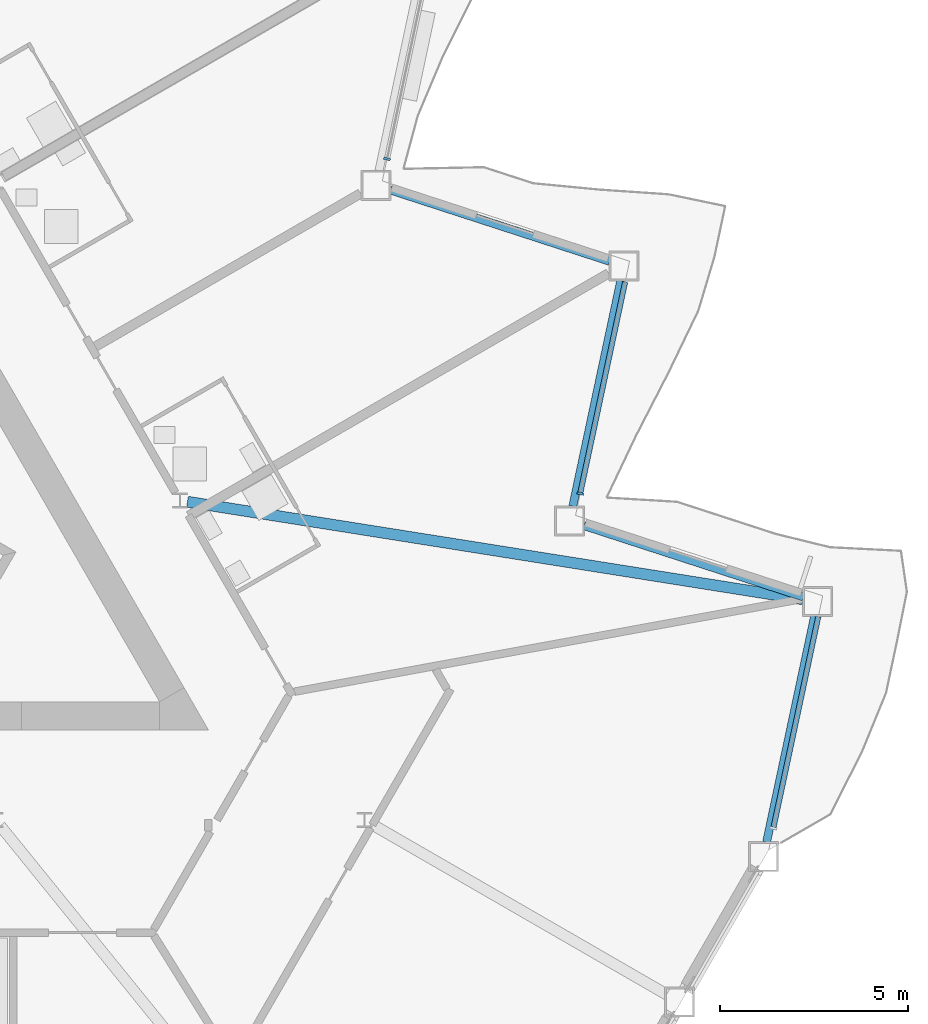
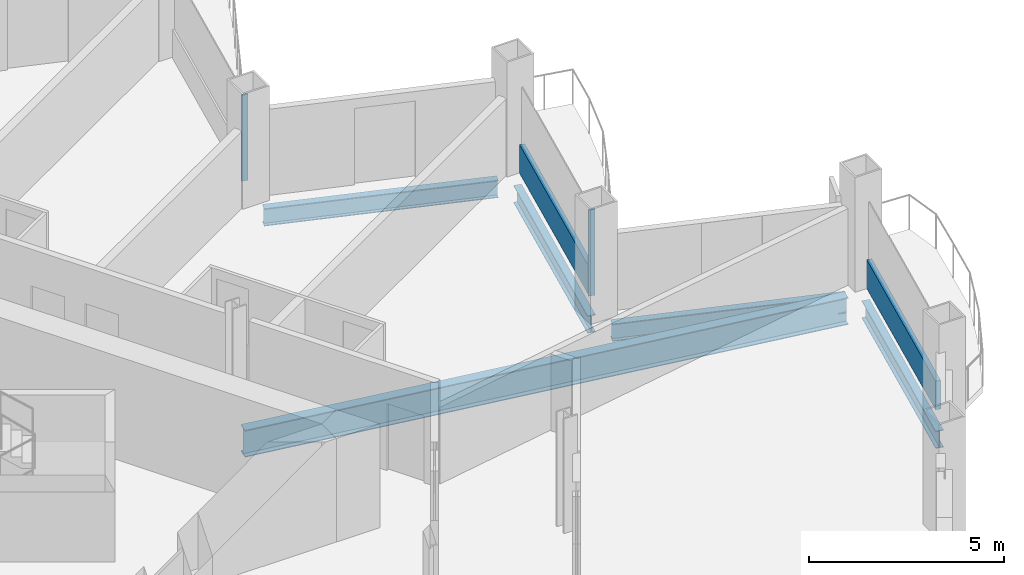
# One storey, part 7 of 24: 5 beams, 4 members, 3 elements without a shape of their own.
"""IFC4 building model written with IfcOpenShell, lengths in metres."""

from ifc_helpers import new_model, si_unit, direction, frame, origin, origin_2d, place, context, subcontext, project, spatial, rectangle, i_section, extrude, material, layer, layer_set, material_profile, profile_set, type_object, element, aggregate, save


model = new_model("IFC4")

# Units and contexts
model_context = context("Model", 3, precision=1e-05, world=origin(), true_north=direction((0.0, 1.0)))
body_context = subcontext(model_context, "Body", "Model", "MODEL_VIEW")
ifc_project = project(units=[si_unit("LENGTHUNIT", "METRE"), si_unit("AREAUNIT", "SQUARE_METRE"), si_unit("VOLUMEUNIT", "CUBIC_METRE"), si_unit("PLANEANGLEUNIT", "RADIAN"), si_unit("MASSUNIT", "GRAM", prefix="KILO")], contexts=[model_context])

# Site, building, storey
site_placement = place(None, origin())
site = spatial("IfcSite", under=ifc_project, at=site_placement, CompositionType="ELEMENT")
building_placement = place(site_placement, origin())
building = spatial("IfcBuilding", under=site, at=building_placement, Name="Cormorant Prow Tower", CompositionType="ELEMENT")
storey_placement = place(building_placement, frame((0.0, 0.0, 201.60009765625)))
storey = spatial("IfcBuildingStorey", under=building, at=storey_placement, Name="L44", CompositionType="ELEMENT", Elevation=201.60009765625)

# Curtain wall, member
ifc_material_1 = material(Name="Aluminium 6063-T6", Category="aluminium")
ifc_layer = layer(ifc_material_1, 0.179931640625)
ifc_layer_set = layer_set([ifc_layer], Name="Aluminium 6063-T6")
curtain_wall_type = type_object("IfcCurtainWallType", Name="Hotel unitised curtain wall 180", PredefinedType="NOTDEFINED", material=ifc_layer_set)
curtain_wall_1_placement = place(storey_placement, origin())
curtain_wall_1 = element("IfcCurtainWall", 1, at=curtain_wall_1_placement, inside=storey, type_object=curtain_wall_type, Name="Hotel curtain wall ENE02", PredefinedType="NOTDEFINED")
ifc_material_2 = material(Name="Aluminium 6063-T6", Category="aluminium")
ifc_material_profile_1 = material_profile(ifc_material_2, rectangle(XDim=0.179931640625, YDim=0.06005859375, at=origin_2d()), Name="Hotel mullion 60x180")
ifc_profile_set_1 = profile_set([ifc_material_profile_1], Name="Aluminium 6063-T6")
member_type_1 = type_object("IfcMemberType", Name="Hotel mullion 60x180", PredefinedType="MULLION", material=ifc_profile_set_1)
member_1_placement = place(storey_placement, frame((25.409423828125, -2.64990234375, 0.0), z_axis=(0.0, 0.0, 1.0), x_axis=(-0.978147605448, 0.207911668641, 0.0)))
member_1 = element("IfcMember", 2, at=member_1_placement, type_object=member_type_1, Name="Hotel mullion ENE02", PredefinedType="MULLION", context=body_context, shape_type="SweptSolid", body=[
    extrude(rectangle(XDim=0.179931640625, YDim=0.06005859375, at=origin_2d()), origin(), (0.0, 0.0, 1.0), 2.70068359375),
])

curtain_wall_2_placement = place(storey_placement, origin())
curtain_wall_2 = element("IfcCurtainWall", 3, at=curtain_wall_2_placement, inside=storey, type_object=curtain_wall_type, Name="Hotel curtain wall ENE04", PredefinedType="NOTDEFINED")
member_2_placement = place(storey_placement, frame((20.261474609375, 6.2666015625, 0.0), z_axis=(0.0, 0.0, 1.0), x_axis=(-0.978147576087, 0.20791180677, 0.0)))
member_2 = element("IfcMember", 4, at=member_2_placement, type_object=member_type_1, Name="Hotel mullion ENE04", PredefinedType="MULLION", context=body_context, shape_type="SweptSolid", body=[
    extrude(rectangle(XDim=0.179931640625, YDim=0.06005859375, at=origin_2d()), origin(), (0.0, 0.0, 1.0), 2.70068359375),
])
aggregate(curtain_wall_2, [member_2])

curtain_wall_3_placement = place(storey_placement, origin())
curtain_wall_3 = element("IfcCurtainWall", 5, at=curtain_wall_3_placement, inside=storey, type_object=curtain_wall_type, Name="Hotel curtain wall ENE00", PredefinedType="NOTDEFINED")
ifc_material_3 = material(Name="Terracotta", Category="masonry")
ifc_material_profile_2 = material_profile(ifc_material_3, rectangle(XDim=0.139892578125, YDim=0.89990234375, at=origin_2d()), Name="Hotel terracotta spandrel rail 140x900")
ifc_profile_set_2 = profile_set([ifc_material_profile_2], Name="Terracotta")
member_type_2 = type_object("IfcMemberType", Name="Hotel terracotta spandrel rail 140x900", PredefinedType="USERDEFINED", material=ifc_profile_set_2)
member_3_placement = place(storey_placement, frame((30.563720703125, -11.537353515625, 0.449951171875), z_axis=(0.207914285886, 0.978147049131, 0.0), x_axis=(-0.978147049131, 0.207914285886, 0.0)))
member_3 = element("IfcMember", 6, at=member_3_placement, type_object=member_type_2, Name="Hotel spandrel rail ENE00", ObjectType="TRANSOM", PredefinedType="USERDEFINED", context=body_context, shape_type="SweptSolid", body=[
    extrude(rectangle(XDim=0.139892578125, YDim=0.89990234375, at=origin_2d()), origin(), (0.0, 0.0, 1.0), 5.7314453125),
])
aggregate(curtain_wall_3, [member_3])

# Member
member_4_placement = place(storey_placement, frame((25.41552734375, -2.62060546875, 0.449951171875), z_axis=(0.207922949153, 0.978145207633, 0.0), x_axis=(-0.978145207633, 0.207922949153, 0.0)))
member_4 = element("IfcMember", 7, at=member_4_placement, type_object=member_type_2, Name="Hotel spandrel rail ENE02", ObjectType="TRANSOM", PredefinedType="USERDEFINED", context=body_context, shape_type="SweptSolid", body=[
    extrude(rectangle(XDim=0.139892578125, YDim=0.89990234375, at=origin_2d()), origin(), (0.0, 0.0, 1.0), 5.731201171875),
])

aggregate(curtain_wall_1, [member_1, member_4])

# Beams
ifc_material_4 = material(Name="Structural steel ASTM A992 Gr 50", Category="steel")
ifc_material_profile_3 = material_profile(ifc_material_4, i_section(OverallWidth=0.29296875, OverallDepth=0.845703125, WebThickness=0.015380859375, FlangeThickness=0.0244140625, at=origin_2d()), Name="W33x141")
ifc_profile_set_3 = profile_set([ifc_material_profile_3], Name="Structural steel ASTM A992 Gr 50")
beam_type_1 = type_object("IfcBeamType", Name="Radial floor beam W33x141", PredefinedType="BEAM", material=ifc_profile_set_3)
beam_1_placement = place(storey_placement, frame((14.94384765625, -2.869140625, -0.77294921875), z_axis=(0.987678058302, -0.156499371084, 0.0), x_axis=(0.156499371084, 0.987678058302, 0.0)))
element("IfcBeam", 8, at=beam_1_placement, inside=storey, type_object=beam_type_1, Name="Radial floor beam FB2 10 L44", PredefinedType="BEAM", context=body_context, shape_type="SweptSolid", body=[
    extrude(i_section(OverallWidth=0.29296875, OverallDepth=0.845703125, WebThickness=0.015380859375, FlangeThickness=0.0244140625, at=origin_2d()), origin(), (0.0, 0.0, 1.0), 16.604736328125),
])
ifc_material_5 = material(Name="Structural steel ASTM A992 Gr 50", Category="steel")
ifc_material_profile_4 = material_profile(ifc_material_5, i_section(OverallWidth=0.2138671875, OverallDepth=0.549072265625, WebThickness=0.0146484375, FlangeThickness=0.023681640625, at=origin_2d()), Name="W21x93")
ifc_profile_set_4 = profile_set([ifc_material_profile_4], Name="Structural steel ASTM A992 Gr 50")
beam_type_2 = type_object("IfcBeamType", Name="Spandrel beam W21x93", PredefinedType="SPANDREL", material=ifc_profile_set_4)
beam_2_placement = place(storey_placement, frame((30.377197265625, -11.93701171875, -0.624755859375), z_axis=(0.207904811195, 0.978149063018, 0.0), x_axis=(-0.978149063018, 0.207904811195, 0.0)))
element("IfcBeam", 9, at=beam_2_placement, inside=storey, type_object=beam_type_2, Name="Spandrel beam SB2 ENE00-ENE01 L44", PredefinedType="SPANDREL", context=body_context, shape_type="SweptSolid", body=[
    extrude(i_section(OverallWidth=0.2138671875, OverallDepth=0.549072265625, WebThickness=0.0146484375, FlangeThickness=0.023681640625, at=origin_2d()), origin(), (0.0, 0.0, 1.0), 6.149658203125),
])
beam_3_placement = place(storey_placement, frame((31.358642578125, -5.40673828125, -0.624755859375), z_axis=(-0.951057696564, 0.309013361859, 0.0), x_axis=(-0.309013361859, -0.951057696564, 0.0)))
element("IfcBeam", 10, at=beam_3_placement, inside=storey, type_object=beam_type_2, Name="Spandrel beam SB2 ENE01-ENE02 L44", PredefinedType="SPANDREL", context=body_context, shape_type="SweptSolid", body=[
    extrude(i_section(OverallWidth=0.2138671875, OverallDepth=0.549072265625, WebThickness=0.0146484375, FlangeThickness=0.023681640625, at=origin_2d()), origin(), (0.0, 0.0, 1.0), 6.14990234375),
])
beam_4_placement = place(storey_placement, frame((25.21240234375, -2.991455078125, -0.624755859375), z_axis=(0.207904811195, 0.978149063018, 0.0), x_axis=(-0.978149063018, 0.207904811195, 0.0)))
element("IfcBeam", 11, at=beam_4_placement, inside=storey, type_object=beam_type_2, Name="Spandrel beam SB2 ENE02-ENE03 L44", PredefinedType="SPANDREL", context=body_context, shape_type="SweptSolid", body=[
    extrude(i_section(OverallWidth=0.2138671875, OverallDepth=0.549072265625, WebThickness=0.0146484375, FlangeThickness=0.023681640625, at=origin_2d()), origin(), (0.0, 0.0, 1.0), 6.149658203125),
])
beam_5_placement = place(storey_placement, frame((26.19384765625, 3.538818359375, -0.624755859375), z_axis=(-0.951057696564, 0.309013361859, 0.0), x_axis=(-0.309013361859, -0.951057696564, 0.0)))
element("IfcBeam", 12, at=beam_5_placement, inside=storey, type_object=beam_type_2, Name="Spandrel beam SB2 ENE03-ENE04 L44", PredefinedType="SPANDREL", context=body_context, shape_type="SweptSolid", body=[
    extrude(i_section(OverallWidth=0.2138671875, OverallDepth=0.549072265625, WebThickness=0.0146484375, FlangeThickness=0.023681640625, at=origin_2d()), origin(), (0.0, 0.0, 1.0), 6.14990234375),
])

save(model, "model.ifc")
